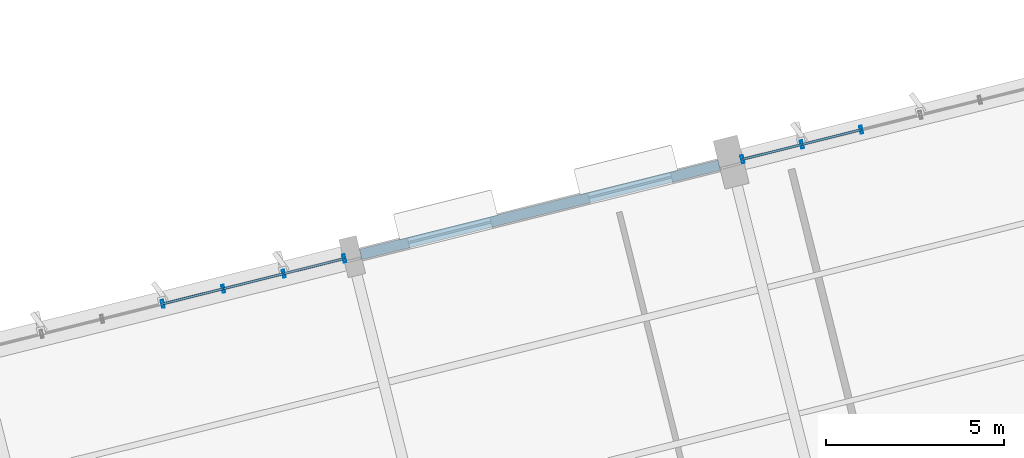
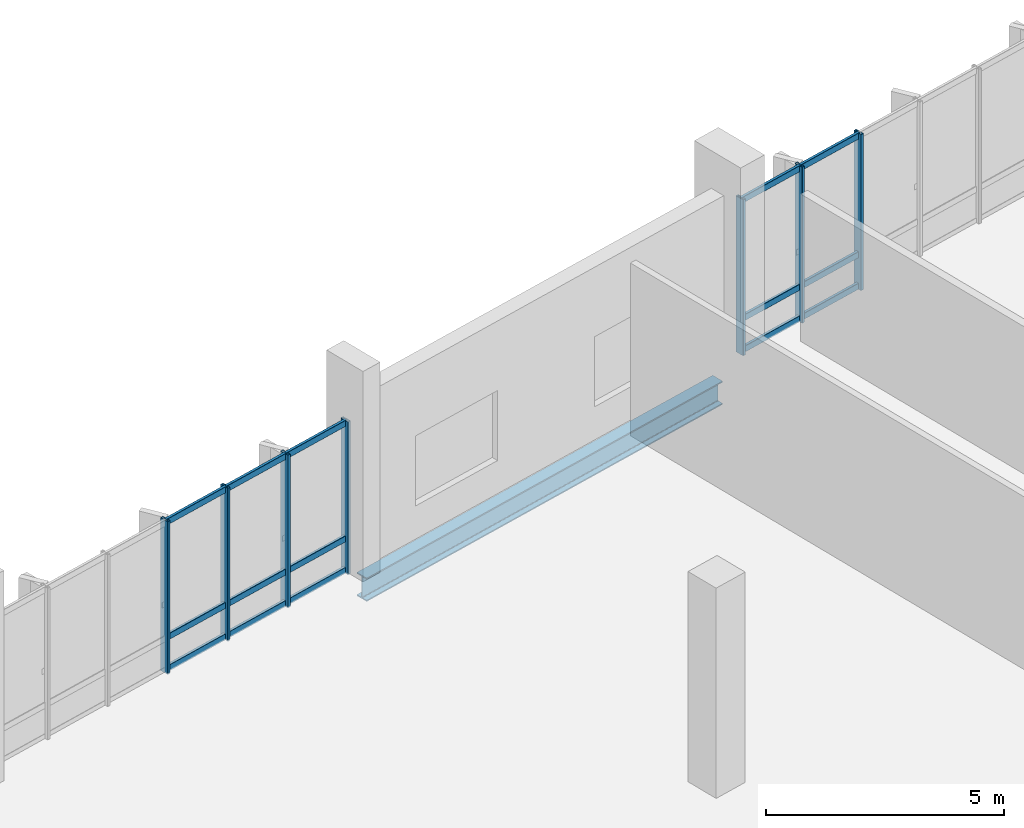
# One storey, part 88 of 176: 22 members, 1 beam, 2 elements without a shape of their own.
"""IFC4 building model written with IfcOpenShell, lengths in metres."""

import ifcopenshell
import ifcopenshell.guid

model = None  # the IFC model being written
_history = None  # IfcOwnerHistory: only IFC2X3 demands one
_inside = {}  # id of a spatial element -> (the spatial element, [elements in it])
_under = {}  # id of a project, library or spatial element -> (it, [spatial elements below it])
_declared = {}  # id of a project -> (the project, [libraries it declares])
_typed = {}  # id of a type object -> (the type object, [elements of that type])
_made_of = {}  # id of a material, layer set ... -> (it, [elements and type objects made of it])


def new_model(schema):
    """Start an empty IFC model of exactly this schema.

    Asked for "IFC4X3", IfcOpenShell would pick the latest addendum, in which some entities
    have other attributes; the version numbers below select the first issue.
    IFC2X3 requires an IfcOwnerHistory on every rooted entity: one is made here for all.
    """
    global model, _history
    if schema == "IFC4X3":
        model = ifcopenshell.file(schema_version=(4, 3, 0, 0))
    else:
        model = ifcopenshell.file(schema=schema)
    _inside.clear()
    _under.clear()
    _declared.clear()
    _typed.clear()
    _made_of.clear()
    _history = None
    if model.schema == "IFC2X3":
        org = make("IfcOrganization", Name="unknown")
        user = make(
            "IfcPersonAndOrganization",
            ThePerson=make("IfcPerson", FamilyName="unknown"),
            TheOrganization=org,
        )
        app = make(
            "IfcApplication",
            ApplicationDeveloper=org,
            Version="unknown",
            ApplicationFullName="unknown",
            ApplicationIdentifier="unknown",
        )
        _history = make(
            "IfcOwnerHistory",
            OwningUser=user,
            OwningApplication=app,
            ChangeAction="ADDED",
            CreationDate=0,
        )
    return model


def make(cls, **values):
    """One entity of the class cls with the attributes given. An attribute that is None is left unset."""
    return model.create_entity(
        cls, **{name: value for name, value in values.items() if value is not None}
    )


def rooted(cls, **values):
    """An entity with a GlobalId (a new one), such as an element, a storey or a relation."""
    return make(cls, GlobalId=ifcopenshell.guid.new(), OwnerHistory=_history, **values)


def si_unit(unit_type, name, prefix=None):
    """IfcSIUnit, for example si_unit("LENGTHUNIT", "METRE", prefix="MILLI")."""
    return make("IfcSIUnit", UnitType=unit_type, Prefix=prefix, Name=name)


def assignment(units):
    """IfcUnitAssignment: the units of a project."""
    return None if units is None else make("IfcUnitAssignment", Units=units)


def point(xyz):
    """IfcCartesianPoint."""
    return None if xyz is None else make("IfcCartesianPoint", Coordinates=xyz)


def direction(xyz):
    """IfcDirection."""
    return None if xyz is None else make("IfcDirection", DirectionRatios=xyz)


def frame(location, z_axis=None, x_axis=None):
    """IfcAxis2Placement3D, a coordinate frame: its origin and axes. An axis left out is left unset."""
    return make(
        "IfcAxis2Placement3D",
        Location=point(location),
        Axis=direction(z_axis),
        RefDirection=direction(x_axis),
    )


def frame_2d(location, x_axis=None):
    """IfcAxis2Placement2D, a coordinate frame in the plane: its origin and x axis."""
    return make(
        "IfcAxis2Placement2D", Location=point(location), RefDirection=direction(x_axis)
    )


def origin():
    """The frame at (0, 0, 0) with its axes left unset."""
    return frame((0.0, 0.0, 0.0))


def origin_2d():
    """The frame at (0, 0) in the plane with its x axis left unset."""
    return frame_2d((0.0, 0.0))


def place(relative_to, where):
    """IfcLocalPlacement: puts the frame where relative to a parent placement (None: the world)."""
    return make(
        "IfcLocalPlacement", PlacementRelTo=relative_to, RelativePlacement=where
    )


def context(
    kind, dimensions, precision=None, world=None, true_north=None, identifier=None
):
    """IfcGeometricRepresentationContext, for example the 3D "Model" context."""
    return make(
        "IfcGeometricRepresentationContext",
        ContextIdentifier=identifier,
        ContextType=kind,
        CoordinateSpaceDimension=dimensions,
        Precision=precision,
        WorldCoordinateSystem=world,
        TrueNorth=true_north,
    )


def subcontext(parent, identifier, kind, view, scale=None):
    """IfcGeometricRepresentationSubContext, for example "Body" below "Model"."""
    return make(
        "IfcGeometricRepresentationSubContext",
        ContextIdentifier=identifier,
        ContextType=kind,
        ParentContext=parent,
        TargetScale=scale,
        TargetView=view,
    )


def project(units=None, contexts=None):
    """IfcProject with its units and contexts."""
    return rooted(
        "IfcProject",
        Name="project",
        RepresentationContexts=contexts,
        UnitsInContext=assignment(units),
    )


def spatial(cls, under=None, at=None, **own):
    """A site, building, storey or space (cls), placed at a placement, below another one or the project."""
    s = rooted(cls, ObjectPlacement=at, **own)
    if under is not None:
        _under.setdefault(under.id(), (under, []))[1].append(s)
    return s


def profile(cls, at=None, kind="AREA", **sizes):
    """A parametric profile (cls). Its sizes go by their IFC names, for example OverallWidth=200.0."""
    return make(cls, ProfileType=kind, Position=at, **sizes)


def hollow_rectangle(**sizes):
    """IfcRectangleHollowProfileDef."""
    return profile("IfcRectangleHollowProfileDef", **sizes)


def i_section(**sizes):
    """IfcIShapeProfileDef."""
    return profile("IfcIShapeProfileDef", **sizes)


def extrude(swept, where, along, depth):
    """IfcExtrudedAreaSolid: the profile swept, set in the frame where, extruded along a direction by depth."""
    return make(
        "IfcExtrudedAreaSolid",
        SweptArea=swept,
        Position=where,
        ExtrudedDirection=direction(along),
        Depth=depth,
    )


def shape(context_of_items, identifier, shape_type, items):
    """IfcShapeRepresentation: the items that make up one representation, for example the "Body"."""
    return make(
        "IfcShapeRepresentation",
        ContextOfItems=context_of_items,
        RepresentationIdentifier=identifier,
        RepresentationType=shape_type,
        Items=items,
    )


def material(Name=None, Category=None):
    """IfcMaterial."""
    return make("IfcMaterial", Name=Name, Category=Category)


def layer(
    of_material, thickness, ventilated=None, Name=None, Category=None, Priority=None
):
    """IfcMaterialLayer: one layer of a wall or slab, of a material (None: an air gap)."""
    return make(
        "IfcMaterialLayer",
        Material=of_material,
        LayerThickness=thickness,
        IsVentilated=ventilated,
        Name=Name,
        Category=Category,
        Priority=Priority,
    )


def layer_set(layers, Name=None):
    """IfcMaterialLayerSet."""
    return make("IfcMaterialLayerSet", MaterialLayers=layers, LayerSetName=Name)


def material_profile(
    of_material, cross_section, Name=None, Category=None, Priority=None
):
    """IfcMaterialProfile: a cross section and its material."""
    return make(
        "IfcMaterialProfile",
        Name=Name,
        Material=of_material,
        Profile=cross_section,
        Priority=Priority,
        Category=Category,
    )


def profile_set(profiles, Name=None, composite=None):
    """IfcMaterialProfileSet."""
    return make(
        "IfcMaterialProfileSet",
        Name=Name,
        MaterialProfiles=profiles,
        CompositeProfile=composite,
    )


def made_of(thing, what):
    """Note that an element or type object is made of a material, layer set ...; save() writes the relation."""
    if what is not None:
        _made_of.setdefault(what.id(), (what, []))[1].append(thing)
    return thing


def type_object(cls, material=None, **own):
    """A type object (cls), such as IfcWallType, which elements share."""
    return made_of(rooted(cls, **own), material)


def element(
    cls,
    number,
    at=None,
    inside=None,
    cuts=None,
    type_object=None,
    material=None,
    context=None,
    identifier="Body",
    shape_type=None,
    held_by="IfcProductDefinitionShape",
    body=None,
    shapes=None,
    **own,
):
    """One element of the class cls, such as IfcWall. Its Tag is "e" and its number.

    at: its placement. inside: the storey or other place that contains it. cuts: it is an
    opening in that element (IfcRelVoidsElement). A single representation is given by context,
    identifier, shape_type and body (its items); several are given by shapes. held_by: the class
    of the entity that holds the representations. save() writes the other relations.
    """
    e = rooted(cls, Tag="e%d" % number, ObjectPlacement=at, **own)
    if body is not None:
        shapes = [shape(context, identifier, shape_type, body)]
    if shapes is not None:
        e.Representation = make(held_by, Representations=shapes)
    if inside is not None:
        _inside.setdefault(inside.id(), (inside, []))[1].append(e)
    if cuts is not None:
        rooted(
            "IfcRelVoidsElement", RelatingBuildingElement=cuts, RelatedOpeningElement=e
        )
    if type_object is not None:
        _typed.setdefault(type_object.id(), (type_object, []))[1].append(e)
    return made_of(e, material)


def aggregate(whole, parts):
    """IfcRelAggregates: a whole, such as a stair, and the parts it consists of."""
    return rooted("IfcRelAggregates", RelatingObject=whole, RelatedObjects=parts)


def save(model, path):
    """Write the relations noted so far, then the file.

    IfcRelAggregates (storeys below a building ...), IfcRelContainedInSpatialStructure (elements
    in a storey), IfcRelDefinesByType, IfcRelAssociatesMaterial and IfcRelDeclares: one each for
    every whole, place, type object, material and project.
    """
    for whole, parts in _under.values():
        aggregate(whole, parts)
    for where, things in _inside.values():
        rooted(
            "IfcRelContainedInSpatialStructure",
            RelatedElements=things,
            RelatingStructure=where,
        )
    for kind, things in _typed.values():
        rooted("IfcRelDefinesByType", RelatedObjects=things, RelatingType=kind)
    for what, things in _made_of.values():
        rooted("IfcRelAssociatesMaterial", RelatedObjects=things, RelatingMaterial=what)
    for by, libraries in _declared.values():
        rooted("IfcRelDeclares", RelatingContext=by, RelatedDefinitions=libraries)
    model.write(path)


model = new_model("IFC4")

# Units and contexts
model_context = context("Model", 3, precision=1e-05, world=origin(), true_north=direction((0.0, 1.0)))
body_context = subcontext(model_context, "Body", "Model", "MODEL_VIEW")
ifc_project = project(units=[si_unit("LENGTHUNIT", "METRE"), si_unit("AREAUNIT", "SQUARE_METRE"), si_unit("VOLUMEUNIT", "CUBIC_METRE"), si_unit("PLANEANGLEUNIT", "RADIAN"), si_unit("MASSUNIT", "GRAM", prefix="KILO")], contexts=[model_context])

# Site, building, storey
site_placement = place(None, origin())
site = spatial("IfcSite", under=ifc_project, at=site_placement, CompositionType="ELEMENT")
building_placement = place(site_placement, origin())
building = spatial("IfcBuilding", under=site, at=building_placement, Name="Khorjan Park Terminus", CompositionType="ELEMENT")
storey_placement = place(building_placement, frame((0.0, 0.0, 6.0)))
storey = spatial("IfcBuildingStorey", under=building, at=storey_placement, Name="L01", CompositionType="ELEMENT", Elevation=6.0)

# Beam
ifc_material_1 = material(Name="Steel S355", Category="steel")
ifc_material_profile_1 = material_profile(ifc_material_1, i_section(OverallWidth=0.3, OverallDepth=0.6, WebThickness=0.0155, FlangeThickness=0.03, FilletRadius=0.027, at=origin_2d()), Name="HEB 600")
ifc_profile_set_1 = profile_set([ifc_material_profile_1], Name="Steel S355")
beam_type = type_object("IfcBeamType", Name="BM-HEB600", PredefinedType="BEAM", material=ifc_profile_set_1)
beam_placement = place(storey_placement, frame((171.6174, 71.4211, -0.65), z_axis=(0.970296003428, 0.241920784001, 0.0), x_axis=(-0.241920784001, 0.970296003428, 0.0)))
element("IfcBeam", 1, at=beam_placement, inside=storey, type_object=beam_type, Name="Primary skew-grid floor girder SB-B60 (L01)", PredefinedType="BEAM", context=body_context, shape_type="SweptSolid", body=[
    extrude(i_section(OverallWidth=0.3, OverallDepth=0.6, WebThickness=0.0155, FlangeThickness=0.03, FilletRadius=0.027, at=origin_2d()), origin(), (0.0, 0.0, 1.0), 10.41),
])

# Curtain wall, members
ifc_material_2 = material(Name="Anodized Bronze Aluminium", Category="aluminium")
ifc_layer = layer(ifc_material_2, 0.22)
ifc_layer_set = layer_set([ifc_layer], Name="Anodized Bronze Aluminium")
curtain_wall_type = type_object("IfcCurtainWallType", Name="CW-OPS-B", PredefinedType="NOTDEFINED", material=ifc_layer_set)
curtain_wall_1_placement = place(storey_placement, origin())
curtain_wall_1 = element("IfcCurtainWall", 2, at=curtain_wall_1_placement, inside=storey, type_object=curtain_wall_type, Name="Unitized curtain wall CW-B (CW-V5-N-L01-B03)", PredefinedType="NOTDEFINED")
ifc_material_profile_2 = material_profile(ifc_material_2, hollow_rectangle(XDim=0.075, YDim=0.225, WallThickness=0.005, InnerFilletRadius=0.005, OuterFilletRadius=0.01, at=origin_2d()), Name="ALM 75x225x5")
ifc_profile_set_2 = profile_set([ifc_material_profile_2], Name="Anodized Bronze Aluminium")
member_type_1 = type_object("IfcMemberType", Name="ML-ALM-225", PredefinedType="MULLION", material=ifc_profile_set_2)
member_1_placement = place(storey_placement, frame((185.7174, 74.9366, -0.035), z_axis=(0.0, 0.0, 1.0), x_axis=(-0.970295910648, -0.241921156122, 0.0)))
member_1 = element("IfcMember", 3, at=member_1_placement, type_object=member_type_1, Name="Curtain-wall mullion ML-22 (CW-V5-N-L01-B03-4)", PredefinedType="MULLION", context=body_context, shape_type="SweptSolid", body=[
    extrude(hollow_rectangle(XDim=0.075, YDim=0.225, WallThickness=0.005, InnerFilletRadius=0.005, OuterFilletRadius=0.01, at=origin_2d()), origin(), (0.0, 0.0, 1.0), 4.005),
])
member_2_placement = place(storey_placement, frame((184.0453, 74.5197, -0.035), z_axis=(0.0, 0.0, 1.0), x_axis=(-0.970295910648, -0.241921156122, 0.0)))
member_2 = element("IfcMember", 4, at=member_2_placement, type_object=member_type_1, Name="Curtain-wall mullion ML-22 (CW-V5-N-L01-B03-5)", PredefinedType="MULLION", context=body_context, shape_type="SweptSolid", body=[
    extrude(hollow_rectangle(XDim=0.075, YDim=0.225, WallThickness=0.005, InnerFilletRadius=0.005, OuterFilletRadius=0.01, at=origin_2d()), origin(), (0.0, 0.0, 1.0), 4.005),
])
member_3_placement = place(storey_placement, frame((182.3732, 74.1028, -0.035), z_axis=(0.0, 0.0, 1.0), x_axis=(-0.970295910648, -0.241921156122, 0.0)))
member_3 = element("IfcMember", 5, at=member_3_placement, type_object=member_type_1, Name="Curtain-wall mullion ML-22 (CW-V5-N-L01-B03-6)", PredefinedType="MULLION", context=body_context, shape_type="SweptSolid", body=[
    extrude(hollow_rectangle(XDim=0.075, YDim=0.225, WallThickness=0.005, InnerFilletRadius=0.005, OuterFilletRadius=0.01, at=origin_2d()), origin(), (0.0, 0.0, 1.0), 4.005),
])

curtain_wall_2_placement = place(storey_placement, origin())
curtain_wall_2 = element("IfcCurtainWall", 6, at=curtain_wall_2_placement, inside=storey, type_object=curtain_wall_type, Name="Unitized curtain wall CW-B (CW-V5-N-L01-B05)", PredefinedType="NOTDEFINED")
member_4_placement = place(storey_placement, frame((171.1569, 71.3062, -0.035), z_axis=(0.0, 0.0, 1.0), x_axis=(-0.970298556262, -0.241910544861, 0.0)))
member_4 = element("IfcMember", 7, at=member_4_placement, type_object=member_type_1, Name="Curtain-wall mullion ML-22 (CW-V5-N-L01-B05-0)", PredefinedType="MULLION", context=body_context, shape_type="SweptSolid", body=[
    extrude(hollow_rectangle(XDim=0.075, YDim=0.225, WallThickness=0.005, InnerFilletRadius=0.005, OuterFilletRadius=0.01, at=origin_2d()), origin(), (0.0, 0.0, 1.0), 3.925),
])
member_5_placement = place(storey_placement, frame((169.4523, 70.8812, -0.035), z_axis=(0.0, 0.0, 1.0), x_axis=(-0.970298556262, -0.241910544861, 0.0)))
member_5 = element("IfcMember", 8, at=member_5_placement, type_object=member_type_1, Name="Curtain-wall mullion ML-22 (CW-V5-N-L01-B05-1)", PredefinedType="MULLION", context=body_context, shape_type="SweptSolid", body=[
    extrude(hollow_rectangle(XDim=0.075, YDim=0.225, WallThickness=0.005, InnerFilletRadius=0.005, OuterFilletRadius=0.01, at=origin_2d()), origin(), (0.0, 0.0, 1.0), 3.925),
])
member_6_placement = place(storey_placement, frame((167.7477, 70.4562, -0.035), z_axis=(0.0, 0.0, 1.0), x_axis=(-0.970298556262, -0.241910544861, 0.0)))
member_6 = element("IfcMember", 9, at=member_6_placement, type_object=member_type_1, Name="Curtain-wall mullion ML-22 (CW-V5-N-L01-B05-2)", PredefinedType="MULLION", context=body_context, shape_type="SweptSolid", body=[
    extrude(hollow_rectangle(XDim=0.075, YDim=0.225, WallThickness=0.005, InnerFilletRadius=0.005, OuterFilletRadius=0.01, at=origin_2d()), origin(), (0.0, 0.0, 1.0), 3.925),
])
member_7_placement = place(storey_placement, frame((166.0431, 70.0312, -0.035), z_axis=(0.0, 0.0, 1.0), x_axis=(-0.970298556262, -0.241910544861, 0.0)))
member_7 = element("IfcMember", 10, at=member_7_placement, type_object=member_type_1, Name="Curtain-wall mullion ML-22 (CW-V5-N-L01-B05-3)", PredefinedType="MULLION", context=body_context, shape_type="SweptSolid", body=[
    extrude(hollow_rectangle(XDim=0.075, YDim=0.225, WallThickness=0.005, InnerFilletRadius=0.005, OuterFilletRadius=0.01, at=origin_2d()), origin(), (0.0, 0.0, 1.0), 3.925),
])

# Member
ifc_material_profile_3 = material_profile(ifc_material_2, hollow_rectangle(XDim=0.07, YDim=0.16, WallThickness=0.004, InnerFilletRadius=0.004, OuterFilletRadius=0.008, at=origin_2d()), Name="ALT 70x160x4")
ifc_profile_set_3 = profile_set([ifc_material_profile_3], Name="Anodized Bronze Aluminium")
member_type_2 = type_object("IfcMemberType", Name="TR-ALT-160", PredefinedType="USERDEFINED", material=ifc_profile_set_3)
member_8_placement = place(storey_placement, frame((185.7174, 74.9366, 0.04), z_axis=(-0.970295910649, -0.241921156121, 0.0), x_axis=(0.241921156121, -0.970295910649, 0.0)))
member_8 = element("IfcMember", 11, at=member_8_placement, type_object=member_type_2, Name="Curtain-wall transom TR-16 (CW-V5-N-L01-B03-4-1)", ObjectType="TRANSOM", PredefinedType="USERDEFINED", context=body_context, shape_type="SweptSolid", body=[
    extrude(hollow_rectangle(XDim=0.07, YDim=0.16, WallThickness=0.004, InnerFilletRadius=0.004, OuterFilletRadius=0.008, at=origin_2d()), origin(), (0.0, 0.0, 1.0), 1.7233),
])

member_9_placement = place(storey_placement, frame((185.7174, 74.9366, 0.85), z_axis=(-0.970295910649, -0.241921156121, 0.0), x_axis=(0.241921156121, -0.970295910649, 0.0)))
member_9 = element("IfcMember", 12, at=member_9_placement, type_object=member_type_2, Name="Curtain-wall transom TR-16 (CW-V5-N-L01-B03-4-2)", ObjectType="TRANSOM", PredefinedType="USERDEFINED", context=body_context, shape_type="SweptSolid", body=[
    extrude(hollow_rectangle(XDim=0.07, YDim=0.16, WallThickness=0.004, InnerFilletRadius=0.004, OuterFilletRadius=0.008, at=origin_2d()), origin(), (0.0, 0.0, 1.0), 1.7233),
])

member_10_placement = place(storey_placement, frame((185.7174, 74.9366, 3.895), z_axis=(-0.970295910649, -0.241921156121, 0.0), x_axis=(0.241921156121, -0.970295910649, 0.0)))
member_10 = element("IfcMember", 13, at=member_10_placement, type_object=member_type_2, Name="Curtain-wall transom TR-16 (CW-V5-N-L01-B03-4-3)", ObjectType="TRANSOM", PredefinedType="USERDEFINED", context=body_context, shape_type="SweptSolid", body=[
    extrude(hollow_rectangle(XDim=0.07, YDim=0.16, WallThickness=0.004, InnerFilletRadius=0.004, OuterFilletRadius=0.008, at=origin_2d()), origin(), (0.0, 0.0, 1.0), 1.7233),
])

member_11_placement = place(storey_placement, frame((184.0453, 74.5197, 0.04), z_axis=(-0.970295910649, -0.241921156121, 0.0), x_axis=(0.241921156121, -0.970295910649, 0.0)))
member_11 = element("IfcMember", 14, at=member_11_placement, type_object=member_type_2, Name="Curtain-wall transom TR-16 (CW-V5-N-L01-B03-5-1)", ObjectType="TRANSOM", PredefinedType="USERDEFINED", context=body_context, shape_type="SweptSolid", body=[
    extrude(hollow_rectangle(XDim=0.07, YDim=0.16, WallThickness=0.004, InnerFilletRadius=0.004, OuterFilletRadius=0.008, at=origin_2d()), origin(), (0.0, 0.0, 1.0), 1.7233),
])

member_12_placement = place(storey_placement, frame((184.0453, 74.5197, 0.85), z_axis=(-0.970295910649, -0.241921156121, 0.0), x_axis=(0.241921156121, -0.970295910649, 0.0)))
member_12 = element("IfcMember", 15, at=member_12_placement, type_object=member_type_2, Name="Curtain-wall transom TR-16 (CW-V5-N-L01-B03-5-2)", ObjectType="TRANSOM", PredefinedType="USERDEFINED", context=body_context, shape_type="SweptSolid", body=[
    extrude(hollow_rectangle(XDim=0.07, YDim=0.16, WallThickness=0.004, InnerFilletRadius=0.004, OuterFilletRadius=0.008, at=origin_2d()), origin(), (0.0, 0.0, 1.0), 1.7233),
])

member_13_placement = place(storey_placement, frame((184.0453, 74.5197, 3.895), z_axis=(-0.970295910649, -0.241921156121, 0.0), x_axis=(0.241921156121, -0.970295910649, 0.0)))
member_13 = element("IfcMember", 16, at=member_13_placement, type_object=member_type_2, Name="Curtain-wall transom TR-16 (CW-V5-N-L01-B03-5-3)", ObjectType="TRANSOM", PredefinedType="USERDEFINED", context=body_context, shape_type="SweptSolid", body=[
    extrude(hollow_rectangle(XDim=0.07, YDim=0.16, WallThickness=0.004, InnerFilletRadius=0.004, OuterFilletRadius=0.008, at=origin_2d()), origin(), (0.0, 0.0, 1.0), 1.7233),
])

aggregate(curtain_wall_1, [member_1, member_2, member_3, member_8, member_9, member_10, member_11, member_12, member_13])

member_14_placement = place(storey_placement, frame((171.1569, 71.3062, 0.04), z_axis=(-0.970296329372, -0.2419194767, 0.0), x_axis=(0.2419194767, -0.970296329372, 0.0)))
member_14 = element("IfcMember", 17, at=member_14_placement, type_object=member_type_2, Name="Curtain-wall transom TR-16 (CW-V5-N-L01-B05-0-1)", ObjectType="TRANSOM", PredefinedType="USERDEFINED", context=body_context, shape_type="SweptSolid", body=[
    extrude(hollow_rectangle(XDim=0.07, YDim=0.16, WallThickness=0.004, InnerFilletRadius=0.004, OuterFilletRadius=0.008, at=origin_2d()), origin(), (0.0, 0.0, 1.0), 1.7568),
])

member_15_placement = place(storey_placement, frame((171.1569, 71.3062, 0.848), z_axis=(-0.970296329372, -0.2419194767, 0.0), x_axis=(0.2419194767, -0.970296329372, 0.0)))
member_15 = element("IfcMember", 18, at=member_15_placement, type_object=member_type_2, Name="Curtain-wall transom TR-16 (CW-V5-N-L01-B05-0-2)", ObjectType="TRANSOM", PredefinedType="USERDEFINED", context=body_context, shape_type="SweptSolid", body=[
    extrude(hollow_rectangle(XDim=0.07, YDim=0.16, WallThickness=0.004, InnerFilletRadius=0.004, OuterFilletRadius=0.008, at=origin_2d()), origin(), (0.0, 0.0, 1.0), 1.7568),
])

member_16_placement = place(storey_placement, frame((171.1569, 71.3062, 3.815), z_axis=(-0.970296329372, -0.2419194767, 0.0), x_axis=(0.2419194767, -0.970296329372, 0.0)))
member_16 = element("IfcMember", 19, at=member_16_placement, type_object=member_type_2, Name="Curtain-wall transom TR-16 (CW-V5-N-L01-B05-0-3)", ObjectType="TRANSOM", PredefinedType="USERDEFINED", context=body_context, shape_type="SweptSolid", body=[
    extrude(hollow_rectangle(XDim=0.07, YDim=0.16, WallThickness=0.004, InnerFilletRadius=0.004, OuterFilletRadius=0.008, at=origin_2d()), origin(), (0.0, 0.0, 1.0), 1.7568),
])

member_17_placement = place(storey_placement, frame((169.4523, 70.8812, 0.04), z_axis=(-0.970296329372, -0.2419194767, 0.0), x_axis=(0.2419194767, -0.970296329372, 0.0)))
member_17 = element("IfcMember", 20, at=member_17_placement, type_object=member_type_2, Name="Curtain-wall transom TR-16 (CW-V5-N-L01-B05-1-1)", ObjectType="TRANSOM", PredefinedType="USERDEFINED", context=body_context, shape_type="SweptSolid", body=[
    extrude(hollow_rectangle(XDim=0.07, YDim=0.16, WallThickness=0.004, InnerFilletRadius=0.004, OuterFilletRadius=0.008, at=origin_2d()), origin(), (0.0, 0.0, 1.0), 1.7568),
])

member_18_placement = place(storey_placement, frame((169.4523, 70.8812, 0.848), z_axis=(-0.970296329372, -0.2419194767, 0.0), x_axis=(0.2419194767, -0.970296329372, 0.0)))
member_18 = element("IfcMember", 21, at=member_18_placement, type_object=member_type_2, Name="Curtain-wall transom TR-16 (CW-V5-N-L01-B05-1-2)", ObjectType="TRANSOM", PredefinedType="USERDEFINED", context=body_context, shape_type="SweptSolid", body=[
    extrude(hollow_rectangle(XDim=0.07, YDim=0.16, WallThickness=0.004, InnerFilletRadius=0.004, OuterFilletRadius=0.008, at=origin_2d()), origin(), (0.0, 0.0, 1.0), 1.7568),
])

member_19_placement = place(storey_placement, frame((169.4523, 70.8812, 3.815), z_axis=(-0.970296329372, -0.2419194767, 0.0), x_axis=(0.2419194767, -0.970296329372, 0.0)))
member_19 = element("IfcMember", 22, at=member_19_placement, type_object=member_type_2, Name="Curtain-wall transom TR-16 (CW-V5-N-L01-B05-1-3)", ObjectType="TRANSOM", PredefinedType="USERDEFINED", context=body_context, shape_type="SweptSolid", body=[
    extrude(hollow_rectangle(XDim=0.07, YDim=0.16, WallThickness=0.004, InnerFilletRadius=0.004, OuterFilletRadius=0.008, at=origin_2d()), origin(), (0.0, 0.0, 1.0), 1.7568),
])

member_20_placement = place(storey_placement, frame((167.7477, 70.4562, 0.04), z_axis=(-0.970296329372, -0.2419194767, 0.0), x_axis=(0.2419194767, -0.970296329372, 0.0)))
member_20 = element("IfcMember", 23, at=member_20_placement, type_object=member_type_2, Name="Curtain-wall transom TR-16 (CW-V5-N-L01-B05-2-1)", ObjectType="TRANSOM", PredefinedType="USERDEFINED", context=body_context, shape_type="SweptSolid", body=[
    extrude(hollow_rectangle(XDim=0.07, YDim=0.16, WallThickness=0.004, InnerFilletRadius=0.004, OuterFilletRadius=0.008, at=origin_2d()), origin(), (0.0, 0.0, 1.0), 1.7568),
])

member_21_placement = place(storey_placement, frame((167.7477, 70.4562, 0.848), z_axis=(-0.970296329372, -0.2419194767, 0.0), x_axis=(0.2419194767, -0.970296329372, 0.0)))
member_21 = element("IfcMember", 24, at=member_21_placement, type_object=member_type_2, Name="Curtain-wall transom TR-16 (CW-V5-N-L01-B05-2-2)", ObjectType="TRANSOM", PredefinedType="USERDEFINED", context=body_context, shape_type="SweptSolid", body=[
    extrude(hollow_rectangle(XDim=0.07, YDim=0.16, WallThickness=0.004, InnerFilletRadius=0.004, OuterFilletRadius=0.008, at=origin_2d()), origin(), (0.0, 0.0, 1.0), 1.7568),
])

member_22_placement = place(storey_placement, frame((167.7477, 70.4562, 3.815), z_axis=(-0.970296329372, -0.2419194767, 0.0), x_axis=(0.2419194767, -0.970296329372, 0.0)))
member_22 = element("IfcMember", 25, at=member_22_placement, type_object=member_type_2, Name="Curtain-wall transom TR-16 (CW-V5-N-L01-B05-2-3)", ObjectType="TRANSOM", PredefinedType="USERDEFINED", context=body_context, shape_type="SweptSolid", body=[
    extrude(hollow_rectangle(XDim=0.07, YDim=0.16, WallThickness=0.004, InnerFilletRadius=0.004, OuterFilletRadius=0.008, at=origin_2d()), origin(), (0.0, 0.0, 1.0), 1.7568),
])

aggregate(curtain_wall_2, [member_4, member_5, member_6, member_7, member_14, member_15, member_16, member_17, member_18, member_19, member_20, member_21, member_22])

save(model, "model.ifc")
